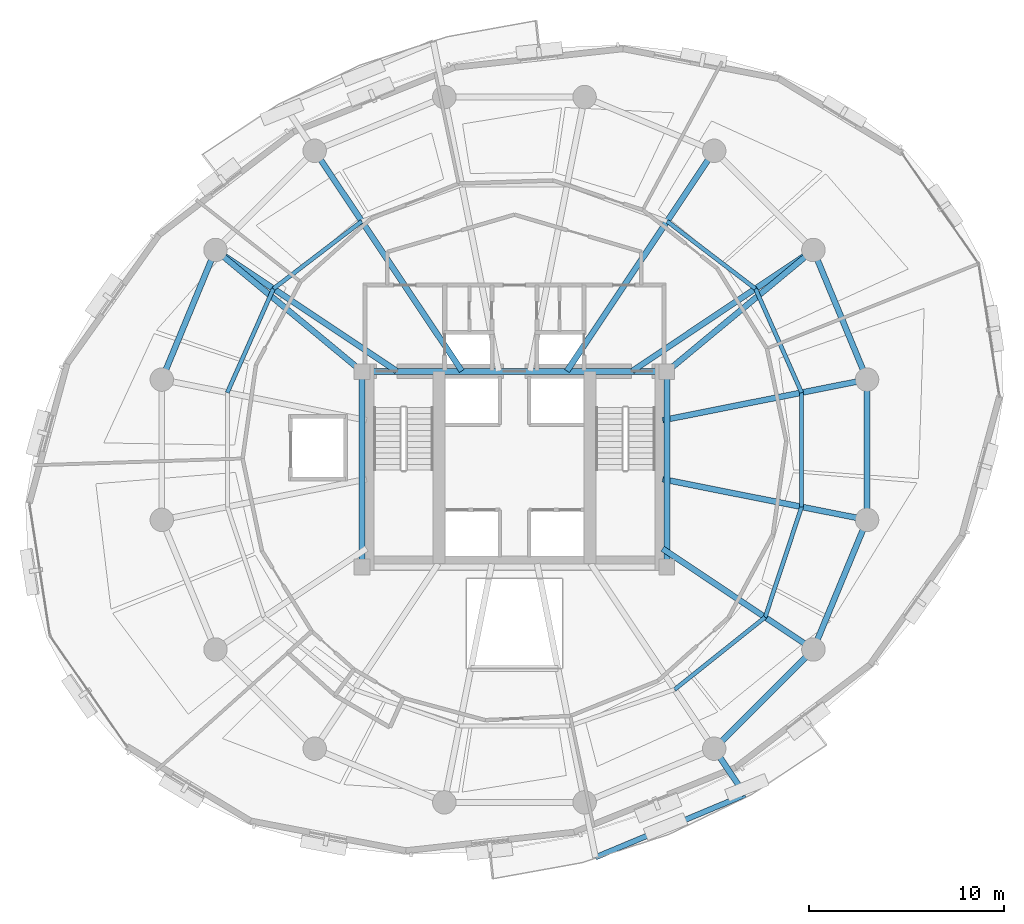
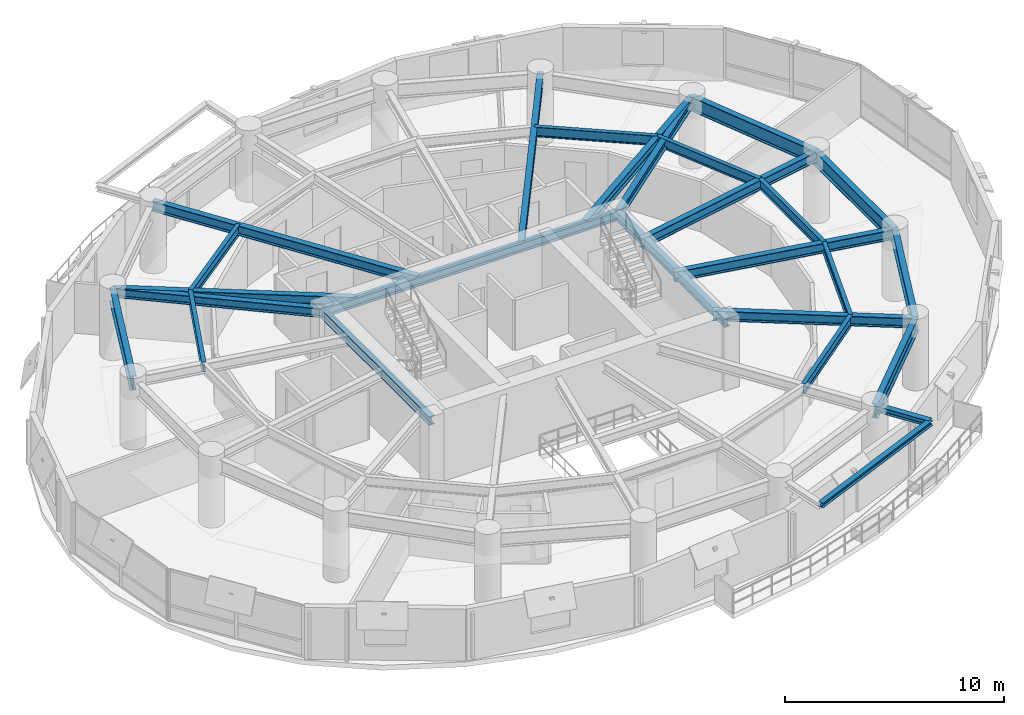
# One storey, part 5 of 14: 26 beams.
"""IFC4 building model written with IfcOpenShell, lengths in metres."""

import ifcopenshell
import ifcopenshell.guid

model = None  # the IFC model being written
_history = None  # IfcOwnerHistory: only IFC2X3 demands one
_inside = {}  # id of a spatial element -> (the spatial element, [elements in it])
_under = {}  # id of a project, library or spatial element -> (it, [spatial elements below it])
_declared = {}  # id of a project -> (the project, [libraries it declares])
_typed = {}  # id of a type object -> (the type object, [elements of that type])
_made_of = {}  # id of a material, layer set ... -> (it, [elements and type objects made of it])


def new_model(schema):
    """Start an empty IFC model of exactly this schema.

    Asked for "IFC4X3", IfcOpenShell would pick the latest addendum, in which some entities
    have other attributes; the version numbers below select the first issue.
    IFC2X3 requires an IfcOwnerHistory on every rooted entity: one is made here for all.
    """
    global model, _history
    if schema == "IFC4X3":
        model = ifcopenshell.file(schema_version=(4, 3, 0, 0))
    else:
        model = ifcopenshell.file(schema=schema)
    _inside.clear()
    _under.clear()
    _declared.clear()
    _typed.clear()
    _made_of.clear()
    _history = None
    if model.schema == "IFC2X3":
        org = make("IfcOrganization", Name="unknown")
        user = make(
            "IfcPersonAndOrganization",
            ThePerson=make("IfcPerson", FamilyName="unknown"),
            TheOrganization=org,
        )
        app = make(
            "IfcApplication",
            ApplicationDeveloper=org,
            Version="unknown",
            ApplicationFullName="unknown",
            ApplicationIdentifier="unknown",
        )
        _history = make(
            "IfcOwnerHistory",
            OwningUser=user,
            OwningApplication=app,
            ChangeAction="ADDED",
            CreationDate=0,
        )
    return model


def make(cls, **values):
    """One entity of the class cls with the attributes given. An attribute that is None is left unset."""
    return model.create_entity(
        cls, **{name: value for name, value in values.items() if value is not None}
    )


def rooted(cls, **values):
    """An entity with a GlobalId (a new one), such as an element, a storey or a relation."""
    return make(cls, GlobalId=ifcopenshell.guid.new(), OwnerHistory=_history, **values)


def si_unit(unit_type, name, prefix=None):
    """IfcSIUnit, for example si_unit("LENGTHUNIT", "METRE", prefix="MILLI")."""
    return make("IfcSIUnit", UnitType=unit_type, Prefix=prefix, Name=name)


def assignment(units):
    """IfcUnitAssignment: the units of a project."""
    return None if units is None else make("IfcUnitAssignment", Units=units)


def point(xyz):
    """IfcCartesianPoint."""
    return None if xyz is None else make("IfcCartesianPoint", Coordinates=xyz)


def direction(xyz):
    """IfcDirection."""
    return None if xyz is None else make("IfcDirection", DirectionRatios=xyz)


def frame(location, z_axis=None, x_axis=None):
    """IfcAxis2Placement3D, a coordinate frame: its origin and axes. An axis left out is left unset."""
    return make(
        "IfcAxis2Placement3D",
        Location=point(location),
        Axis=direction(z_axis),
        RefDirection=direction(x_axis),
    )


def frame_2d(location, x_axis=None):
    """IfcAxis2Placement2D, a coordinate frame in the plane: its origin and x axis."""
    return make(
        "IfcAxis2Placement2D", Location=point(location), RefDirection=direction(x_axis)
    )


def origin():
    """The frame at (0, 0, 0) with its axes left unset."""
    return frame((0.0, 0.0, 0.0))


def origin_2d():
    """The frame at (0, 0) in the plane with its x axis left unset."""
    return frame_2d((0.0, 0.0))


def place(relative_to, where):
    """IfcLocalPlacement: puts the frame where relative to a parent placement (None: the world)."""
    return make(
        "IfcLocalPlacement", PlacementRelTo=relative_to, RelativePlacement=where
    )


def context(
    kind, dimensions, precision=None, world=None, true_north=None, identifier=None
):
    """IfcGeometricRepresentationContext, for example the 3D "Model" context."""
    return make(
        "IfcGeometricRepresentationContext",
        ContextIdentifier=identifier,
        ContextType=kind,
        CoordinateSpaceDimension=dimensions,
        Precision=precision,
        WorldCoordinateSystem=world,
        TrueNorth=true_north,
    )


def subcontext(parent, identifier, kind, view, scale=None):
    """IfcGeometricRepresentationSubContext, for example "Body" below "Model"."""
    return make(
        "IfcGeometricRepresentationSubContext",
        ContextIdentifier=identifier,
        ContextType=kind,
        ParentContext=parent,
        TargetScale=scale,
        TargetView=view,
    )


def project(units=None, contexts=None):
    """IfcProject with its units and contexts."""
    return rooted(
        "IfcProject",
        Name="project",
        RepresentationContexts=contexts,
        UnitsInContext=assignment(units),
    )


def spatial(cls, under=None, at=None, **own):
    """A site, building, storey or space (cls), placed at a placement, below another one or the project."""
    s = rooted(cls, ObjectPlacement=at, **own)
    if under is not None:
        _under.setdefault(under.id(), (under, []))[1].append(s)
    return s


def profile(cls, at=None, kind="AREA", **sizes):
    """A parametric profile (cls). Its sizes go by their IFC names, for example OverallWidth=200.0."""
    return make(cls, ProfileType=kind, Position=at, **sizes)


def i_section(**sizes):
    """IfcIShapeProfileDef."""
    return profile("IfcIShapeProfileDef", **sizes)


def extrude(swept, where, along, depth):
    """IfcExtrudedAreaSolid: the profile swept, set in the frame where, extruded along a direction by depth."""
    return make(
        "IfcExtrudedAreaSolid",
        SweptArea=swept,
        Position=where,
        ExtrudedDirection=direction(along),
        Depth=depth,
    )


def shape(context_of_items, identifier, shape_type, items):
    """IfcShapeRepresentation: the items that make up one representation, for example the "Body"."""
    return make(
        "IfcShapeRepresentation",
        ContextOfItems=context_of_items,
        RepresentationIdentifier=identifier,
        RepresentationType=shape_type,
        Items=items,
    )


def material(Name=None, Category=None):
    """IfcMaterial."""
    return make("IfcMaterial", Name=Name, Category=Category)


def material_profile(
    of_material, cross_section, Name=None, Category=None, Priority=None
):
    """IfcMaterialProfile: a cross section and its material."""
    return make(
        "IfcMaterialProfile",
        Name=Name,
        Material=of_material,
        Profile=cross_section,
        Priority=Priority,
        Category=Category,
    )


def profile_set(profiles, Name=None, composite=None):
    """IfcMaterialProfileSet."""
    return make(
        "IfcMaterialProfileSet",
        Name=Name,
        MaterialProfiles=profiles,
        CompositeProfile=composite,
    )


def made_of(thing, what):
    """Note that an element or type object is made of a material, layer set ...; save() writes the relation."""
    if what is not None:
        _made_of.setdefault(what.id(), (what, []))[1].append(thing)
    return thing


def type_object(cls, material=None, **own):
    """A type object (cls), such as IfcWallType, which elements share."""
    return made_of(rooted(cls, **own), material)


def element(
    cls,
    number,
    at=None,
    inside=None,
    cuts=None,
    type_object=None,
    material=None,
    context=None,
    identifier="Body",
    shape_type=None,
    held_by="IfcProductDefinitionShape",
    body=None,
    shapes=None,
    **own,
):
    """One element of the class cls, such as IfcWall. Its Tag is "e" and its number.

    at: its placement. inside: the storey or other place that contains it. cuts: it is an
    opening in that element (IfcRelVoidsElement). A single representation is given by context,
    identifier, shape_type and body (its items); several are given by shapes. held_by: the class
    of the entity that holds the representations. save() writes the other relations.
    """
    e = rooted(cls, Tag="e%d" % number, ObjectPlacement=at, **own)
    if body is not None:
        shapes = [shape(context, identifier, shape_type, body)]
    if shapes is not None:
        e.Representation = make(held_by, Representations=shapes)
    if inside is not None:
        _inside.setdefault(inside.id(), (inside, []))[1].append(e)
    if cuts is not None:
        rooted(
            "IfcRelVoidsElement", RelatingBuildingElement=cuts, RelatedOpeningElement=e
        )
    if type_object is not None:
        _typed.setdefault(type_object.id(), (type_object, []))[1].append(e)
    return made_of(e, material)


def aggregate(whole, parts):
    """IfcRelAggregates: a whole, such as a stair, and the parts it consists of."""
    return rooted("IfcRelAggregates", RelatingObject=whole, RelatedObjects=parts)


def save(model, path):
    """Write the relations noted so far, then the file.

    IfcRelAggregates (storeys below a building ...), IfcRelContainedInSpatialStructure (elements
    in a storey), IfcRelDefinesByType, IfcRelAssociatesMaterial and IfcRelDeclares: one each for
    every whole, place, type object, material and project.
    """
    for whole, parts in _under.values():
        aggregate(whole, parts)
    for where, things in _inside.values():
        rooted(
            "IfcRelContainedInSpatialStructure",
            RelatedElements=things,
            RelatingStructure=where,
        )
    for kind, things in _typed.values():
        rooted("IfcRelDefinesByType", RelatedObjects=things, RelatingType=kind)
    for what, things in _made_of.values():
        rooted("IfcRelAssociatesMaterial", RelatedObjects=things, RelatingMaterial=what)
    for by, libraries in _declared.values():
        rooted("IfcRelDeclares", RelatingContext=by, RelatedDefinitions=libraries)
    model.write(path)


model = new_model("IFC4")

# Units and contexts
model_context = context("Model", 3, precision=1e-05, world=origin(), true_north=direction((0.0, 1.0)))
body_context = subcontext(model_context, "Body", "Model", "MODEL_VIEW")
ifc_project = project(units=[si_unit("LENGTHUNIT", "METRE"), si_unit("AREAUNIT", "SQUARE_METRE"), si_unit("VOLUMEUNIT", "CUBIC_METRE"), si_unit("PLANEANGLEUNIT", "RADIAN"), si_unit("MASSUNIT", "GRAM", prefix="KILO"), si_unit("THERMODYNAMICTEMPERATUREUNIT", "KELVIN"), si_unit("POWERUNIT", "WATT")], contexts=[model_context])

# Site, building, storey
site_placement = place(None, origin())
site = spatial("IfcSite", under=ifc_project, at=site_placement, CompositionType="ELEMENT")
building_placement = place(site_placement, origin())
building = spatial("IfcBuilding", under=site, at=building_placement, Name="Ocrelia Relay Tower", CompositionType="ELEMENT")
storey_placement = place(building_placement, frame((0.0, 0.0, 125.800048828125)))
storey = spatial("IfcBuildingStorey", under=building, at=storey_placement, Name="L29", CompositionType="ELEMENT", Elevation=125.800048828125)

# Beams
ifc_material = material(Name="Steel S355", Category="steel")
ifc_material_profile_1 = material_profile(ifc_material, i_section(OverallWidth=0.280029296875, OverallDepth=0.27001953125, WebThickness=0.008056640625, FlangeThickness=0.012939453125, FilletRadius=0.02392578125, at=origin_2d()), Name="HEA 280")
ifc_profile_set_1 = profile_set([ifc_material_profile_1], Name="Steel S355")
beam_type_1 = type_object("IfcBeamType", Name="BM-HEA280", PredefinedType="BEAM", material=ifc_profile_set_1)
beam_1_placement = place(storey_placement, frame((38.1494140625, 5.14013671875, 3.5849609375), z_axis=(0.922554345188, 0.385867179448, 0.0), x_axis=(-0.385867179448, 0.922554345188, 0.0)))
element("IfcBeam", 1, at=beam_1_placement, inside=storey, type_object=beam_type_1, Name="L30 Balcony Edge Trimmer Beam B2", PredefinedType="BEAM", context=body_context, shape_type="SweptSolid", body=[
    extrude(i_section(OverallWidth=0.280029296875, OverallDepth=0.27001953125, WebThickness=0.008056640625, FlangeThickness=0.012939453125, FilletRadius=0.02392578125, at=origin_2d()), origin(), (0.0, 0.0, 1.0), 8.29296875),
])
ifc_material_profile_2 = material_profile(ifc_material, i_section(OverallWidth=0.300048828125, OverallDepth=0.330078125, WebThickness=0.009521484375, FlangeThickness=0.0166015625, FilletRadius=0.027099609375, at=origin_2d()), Name="HEA 340")
ifc_profile_set_2 = profile_set([ifc_material_profile_2], Name="Steel S355")
beam_type_2 = type_object("IfcBeamType", Name="BM-HEA340", PredefinedType="BEAM", material=ifc_profile_set_2)
beam_2_placement = place(storey_placement, frame((44.222412109375, 10.700927734375, 3.554931640625), z_axis=(0.555612589399, -0.831441309114, 0.0), x_axis=(0.831441309114, 0.555612589399, 0.0)))
element("IfcBeam", 2, at=beam_2_placement, inside=storey, type_object=beam_type_2, Name="L30 Balcony Cantilever Beam B2-2", PredefinedType="BEAM", context=body_context, shape_type="SweptSolid", body=[
    extrude(i_section(OverallWidth=0.300048828125, OverallDepth=0.330078125, WebThickness=0.009521484375, FlangeThickness=0.0166015625, FilletRadius=0.027099609375, at=origin_2d()), origin(), (0.0, 0.0, 1.0), 2.83935546875),
])
ifc_material_profile_3 = material_profile(ifc_material, i_section(OverallWidth=0.300048828125, OverallDepth=0.5, WebThickness=0.014404296875, FlangeThickness=0.028076171875, FilletRadius=0.027099609375, at=origin_2d()), Name="HEB 500")
ifc_profile_set_3 = profile_set([ifc_material_profile_3], Name="Steel S355")
beam_type_3 = type_object("IfcBeamType", Name="BM-HEB500", PredefinedType="BEAM", material=ifc_profile_set_3)
beam_3_placement = place(storey_placement, frame((26.199951171875, 30.0, 3.469970703125), z_axis=(1.0, 0.0, 0.0), x_axis=(0.0, 1.0, 0.0)))
element("IfcBeam", 3, at=beam_3_placement, inside=storey, type_object=beam_type_3, Name="L29 Core Pilaster Tie Beam N", PredefinedType="BEAM", context=body_context, shape_type="SweptSolid", body=[
    extrude(i_section(OverallWidth=0.300048828125, OverallDepth=0.5, WebThickness=0.014404296875, FlangeThickness=0.028076171875, FilletRadius=0.027099609375, at=origin_2d()), origin(), (0.0, 0.0, 1.0), 15.60009765625),
])
for number, where, z_axis, x_axis, name in (
    (4, (26.199951171875, 20.0, 3.469970703125), (0.0, 1.0, 0.0), (-1.0, 0.0, 0.0), "L29 Core Pilaster Tie Beam W"),
    (5, (41.800048828125, 20.0, 3.469970703125), (0.0, 1.0, 0.0), (-1.0, 0.0, 0.0), "L29 Core Pilaster Tie Beam E"),
):
    element("IfcBeam", number, at=place(storey_placement, frame(where, z_axis=z_axis, x_axis=x_axis)), inside=storey, type_object=beam_type_3, Name=name, PredefinedType="BEAM", context=body_context, shape_type="SweptSolid", body=[
        extrude(i_section(OverallWidth=0.300048828125, OverallDepth=0.5, WebThickness=0.014404296875, FlangeThickness=0.028076171875, FilletRadius=0.027099609375, at=origin_2d()), origin(), (0.0, 0.0, 1.0), 10.0),
    ])
for number, where, z_axis, x_axis, name in (
    (6, (49.299072265625, 36.222412109375, 3.469970703125), (-0.769570862751, -0.638561420072, 0.0), (0.638561420072, -0.769570862751, 0.0), "L29 Core Pilaster Frame Tie Beam PT02"),
    (7, (18.700927734375, 36.222412109375, 3.469970703125), (0.769570862751, -0.638561420072, 0.0), (0.638561420072, 0.769570862751, 0.0), "L29 Core Pilaster Frame Tie Beam PT07"),
):
    element("IfcBeam", number, at=place(storey_placement, frame(where, z_axis=z_axis, x_axis=x_axis)), inside=storey, type_object=beam_type_3, Name=name, PredefinedType="BEAM", context=body_context, shape_type="SweptSolid", body=[
        extrude(i_section(OverallWidth=0.300048828125, OverallDepth=0.5, WebThickness=0.014404296875, FlangeThickness=0.028076171875, FilletRadius=0.027099609375, at=origin_2d()), origin(), (0.0, 0.0, 1.0), 9.744384765625),
    ])
ifc_material_profile_4 = material_profile(ifc_material, i_section(OverallWidth=0.300048828125, OverallDepth=0.550048828125, WebThickness=0.014892578125, FlangeThickness=0.029052734375, FilletRadius=0.027099609375, at=origin_2d()), Name="HEB 550")
ifc_profile_set_4 = profile_set([ifc_material_profile_4], Name="Steel S355")
beam_type_4 = type_object("IfcBeamType", Name="BM-HEB550", PredefinedType="BEAM", material=ifc_profile_set_4)
beam_4_placement = place(storey_placement, frame((52.04638671875, 29.589599609375, 3.445068359375), z_axis=(-0.980786914024, -0.195082109071, 0.0), x_axis=(0.195082109071, -0.980786914024, 0.0)))
element("IfcBeam", 8, at=beam_4_placement, inside=storey, type_object=beam_type_4, Name="L29 Radial Floor Girder R01", PredefinedType="BEAM", context=body_context, shape_type="SweptSolid", body=[
    extrude(i_section(OverallWidth=0.300048828125, OverallDepth=0.550048828125, WebThickness=0.014892578125, FlangeThickness=0.029052734375, FilletRadius=0.027099609375, at=origin_2d()), origin(), (0.0, 0.0, 1.0), 10.67138671875),
])
beam_5_placement = place(storey_placement, frame((49.299072265625, 36.222412109375, 3.445068359375), z_axis=(-0.83147699108, -0.555559189741, 0.0), x_axis=(0.555559189741, -0.83147699108, 0.0)))
element("IfcBeam", 9, at=beam_5_placement, inside=storey, type_object=beam_type_4, Name="L29 Radial Floor Girder R02", PredefinedType="BEAM", context=body_context, shape_type="SweptSolid", body=[
    extrude(i_section(OverallWidth=0.300048828125, OverallDepth=0.550048828125, WebThickness=0.014892578125, FlangeThickness=0.029052734375, FilletRadius=0.027099609375, at=origin_2d()), origin(), (0.0, 0.0, 1.0), 11.146240234375),
])
for number, where, z_axis, x_axis, name in (
    (10, (44.222412109375, 41.299072265625, 3.445068359375), (-0.555560399988, -0.83147618244, 0.0), (0.83147618244, -0.555560399988, 0.0), "L29 Radial Floor Girder R03"),
    (11, (23.777587890625, 41.299072265625, 3.445068359375), (0.555560399988, -0.83147618244, 0.0), (0.83147618244, 0.555560399988, 0.0), "L29 Radial Floor Girder R06"),
):
    element("IfcBeam", number, at=place(storey_placement, frame(where, z_axis=z_axis, x_axis=x_axis)), inside=storey, type_object=beam_type_4, Name=name, PredefinedType="BEAM", context=body_context, shape_type="SweptSolid", body=[
        extrude(i_section(OverallWidth=0.300048828125, OverallDepth=0.550048828125, WebThickness=0.014892578125, FlangeThickness=0.029052734375, FilletRadius=0.027099609375, at=origin_2d()), origin(), (0.0, 0.0, 1.0), 13.552978515625),
    ])
beam_6_placement = place(storey_placement, frame((18.700927734375, 36.222412109375, 3.445068359375), z_axis=(0.83147699108, -0.555559189741, 0.0), x_axis=(0.555559189741, 0.83147699108, 0.0)))
element("IfcBeam", 12, at=beam_6_placement, inside=storey, type_object=beam_type_4, Name="L29 Radial Floor Girder R07", PredefinedType="BEAM", context=body_context, shape_type="SweptSolid", body=[
    extrude(i_section(OverallWidth=0.300048828125, OverallDepth=0.550048828125, WebThickness=0.014892578125, FlangeThickness=0.029052734375, FilletRadius=0.027099609375, at=origin_2d()), origin(), (0.0, 0.0, 1.0), 11.146240234375),
])
beam_7_placement = place(storey_placement, frame((49.299072265625, 15.777587890625, 3.445068359375), z_axis=(-0.8314672312, 0.555573796575, 0.0), x_axis=(-0.555573796575, -0.8314672312, 0.0)))
element("IfcBeam", 13, at=beam_7_placement, inside=storey, type_object=beam_type_4, Name="L29 Radial Floor Girder R15", PredefinedType="BEAM", context=body_context, shape_type="SweptSolid", body=[
    extrude(i_section(OverallWidth=0.300048828125, OverallDepth=0.550048828125, WebThickness=0.014892578125, FlangeThickness=0.029052734375, FilletRadius=0.027099609375, at=origin_2d()), origin(), (0.0, 0.0, 1.0), 9.28369140625),
])
beam_8_placement = place(storey_placement, frame((52.04638671875, 22.410400390625, 3.445068359375), z_axis=(-0.980786914024, 0.195082109071, 0.0), x_axis=(-0.195082109071, -0.980786914024, 0.0)))
element("IfcBeam", 14, at=beam_8_placement, inside=storey, type_object=beam_type_4, Name="L29 Radial Floor Girder R16", PredefinedType="BEAM", context=body_context, shape_type="SweptSolid", body=[
    extrude(i_section(OverallWidth=0.300048828125, OverallDepth=0.550048828125, WebThickness=0.014892578125, FlangeThickness=0.029052734375, FilletRadius=0.027099609375, at=origin_2d()), origin(), (0.0, 0.0, 1.0), 10.67138671875),
])
ifc_material_profile_5 = material_profile(ifc_material, i_section(OverallWidth=0.300048828125, OverallDepth=0.800048828125, WebThickness=0.017578125, FlangeThickness=0.032958984375, FilletRadius=0.030029296875, at=origin_2d()), Name="HEB 800")
ifc_profile_set_5 = profile_set([ifc_material_profile_5], Name="Steel S355")
beam_type_5 = type_object("IfcBeamType", Name="BM-HEB800", PredefinedType="BEAM", material=ifc_profile_set_5)
for number, where, z_axis, x_axis, name in (
    (15, (52.04638671875, 29.589599609375, 3.320068359375), (-0.382673155247, 0.923883789366, 0.0), (-0.923883789366, -0.382673155247, 0.0), "L29 Perimeter Spandrel Beam S01"),
    (16, (18.700927734375, 36.222412109375, 3.320068359375), (-0.382673155247, -0.923883789366, 0.0), (0.923883789366, -0.382673155247, 0.0), "L29 Perimeter Spandrel Beam S07"),
):
    element("IfcBeam", number, at=place(storey_placement, frame(where, z_axis=z_axis, x_axis=x_axis)), inside=storey, type_object=beam_type_5, Name=name, PredefinedType="BEAM", context=body_context, shape_type="SweptSolid", body=[
        extrude(i_section(OverallWidth=0.300048828125, OverallDepth=0.800048828125, WebThickness=0.017578125, FlangeThickness=0.032958984375, FilletRadius=0.030029296875, at=origin_2d()), origin(), (0.0, 0.0, 1.0), 7.17919921875),
    ])
beam_9_placement = place(storey_placement, frame((44.222412109375, 10.700927734375, 3.320068359375), z_axis=(0.707106781187, 0.707106781187, 0.0), x_axis=(-0.707106781187, 0.707106781187, 0.0)))
element("IfcBeam", 17, at=beam_9_placement, inside=storey, type_object=beam_type_5, Name="L29 Perimeter Spandrel Beam S14", PredefinedType="BEAM", context=body_context, shape_type="SweptSolid", body=[
    extrude(i_section(OverallWidth=0.300048828125, OverallDepth=0.800048828125, WebThickness=0.017578125, FlangeThickness=0.032958984375, FilletRadius=0.030029296875, at=origin_2d()), origin(), (0.0, 0.0, 1.0), 7.179443359375),
])
for number, where, z_axis, x_axis, name in (
    (18, (49.299072265625, 15.777587890625, 3.320068359375), (0.382673155247, 0.923883789366, 0.0), (-0.923883789366, 0.382673155247, 0.0), "L29 Perimeter Spandrel Beam S15"),
    (19, (52.04638671875, 22.410400390625, 3.320068359375), (0.0, 1.0, 0.0), (-1.0, 0.0, 0.0), "L29 Perimeter Spandrel Beam S16"),
):
    element("IfcBeam", number, at=place(storey_placement, frame(where, z_axis=z_axis, x_axis=x_axis)), inside=storey, type_object=beam_type_5, Name=name, PredefinedType="BEAM", context=body_context, shape_type="SweptSolid", body=[
        extrude(i_section(OverallWidth=0.300048828125, OverallDepth=0.800048828125, WebThickness=0.017578125, FlangeThickness=0.032958984375, FilletRadius=0.030029296875, at=origin_2d()), origin(), (0.0, 0.0, 1.0), 7.17919921875),
    ])
ifc_material_profile_6 = material_profile(ifc_material, i_section(OverallWidth=0.2099609375, OverallDepth=0.550048828125, WebThickness=0.010986328125, FlangeThickness=0.01708984375, FilletRadius=0.02392578125, at=origin_2d()), Name="IPE 550")
ifc_profile_set_6 = profile_set([ifc_material_profile_6], Name="Steel S355")
beam_type_6 = type_object("IfcBeamType", Name="BM-IPE550", PredefinedType="JOIST", material=ifc_profile_set_6)
beam_10_placement = place(storey_placement, frame((48.697265625, 28.923583984375, 3.445068359375), z_axis=(-0.406243565397, 0.913764830563, 0.0), x_axis=(-0.913764830563, -0.406243565397, 0.0)))
element("IfcBeam", 20, at=beam_10_placement, inside=storey, type_object=beam_type_6, Name="L29 Secondary Floor Joist J01", PredefinedType="JOIST", context=body_context, shape_type="SweptSolid", body=[
    extrude(i_section(OverallWidth=0.2099609375, OverallDepth=0.550048828125, WebThickness=0.010986328125, FlangeThickness=0.01708984375, FilletRadius=0.02392578125, at=origin_2d()), origin(), (0.0, 0.0, 1.0), 5.819091796875),
])
for number, where, z_axis, x_axis, name in (
    (21, (46.333251953125, 34.240966796875, 3.445068359375), (-0.794762167004, 0.60692099807, 0.0), (-0.60692099807, -0.794762167004, 0.0), "L29 Secondary Floor Joist J02"),
    (22, (26.18701171875, 37.69287109375, 3.445068359375), (-0.794762167004, -0.60692099807, 0.0), (0.60692099807, -0.794762167004, 0.0), "L29 Secondary Floor Joist J06"),
):
    element("IfcBeam", number, at=place(storey_placement, frame(where, z_axis=z_axis, x_axis=x_axis)), inside=storey, type_object=beam_type_6, Name=name, PredefinedType="JOIST", context=body_context, shape_type="SweptSolid", body=[
        extrude(i_section(OverallWidth=0.2099609375, OverallDepth=0.550048828125, WebThickness=0.010986328125, FlangeThickness=0.01708984375, FilletRadius=0.02392578125, at=origin_2d()), origin(), (0.0, 0.0, 1.0), 5.6875),
    ])
beam_11_placement = place(storey_placement, frame((21.666748046875, 34.240966796875, 3.445068359375), z_axis=(-0.405741333342, -0.913987948727, 0.0), x_axis=(0.913987948727, -0.405741333342, 0.0)))
element("IfcBeam", 23, at=beam_11_placement, inside=storey, type_object=beam_type_6, Name="L29 Secondary Floor Joist J07", PredefinedType="JOIST", context=body_context, shape_type="SweptSolid", body=[
    extrude(i_section(OverallWidth=0.2099609375, OverallDepth=0.550048828125, WebThickness=0.010986328125, FlangeThickness=0.01708984375, FilletRadius=0.02392578125, at=origin_2d()), origin(), (0.0, 0.0, 1.0), 5.818603515625),
])
beam_12_placement = place(storey_placement, frame((42.197998046875, 13.731201171875, 3.445068359375), z_axis=(0.781519577804, 0.623880717372, 0.0), x_axis=(-0.623880717372, 0.781519577804, 0.0)))
element("IfcBeam", 24, at=beam_12_placement, inside=storey, type_object=beam_type_6, Name="L29 Secondary Floor Joist J14", PredefinedType="JOIST", context=body_context, shape_type="SweptSolid", body=[
    extrude(i_section(OverallWidth=0.2099609375, OverallDepth=0.550048828125, WebThickness=0.010986328125, FlangeThickness=0.01708984375, FilletRadius=0.02392578125, at=origin_2d()), origin(), (0.0, 0.0, 1.0), 5.925537109375),
])
beam_13_placement = place(storey_placement, frame((46.828857421875, 17.427978515625, 3.445068359375), z_axis=(0.314047924314, 0.949407131443, 0.0), x_axis=(-0.949407131443, 0.314047924314, 0.0)))
element("IfcBeam", 25, at=beam_13_placement, inside=storey, type_object=beam_type_6, Name="L29 Secondary Floor Joist J15", PredefinedType="JOIST", context=body_context, shape_type="SweptSolid", body=[
    extrude(i_section(OverallWidth=0.2099609375, OverallDepth=0.550048828125, WebThickness=0.010986328125, FlangeThickness=0.01708984375, FilletRadius=0.02392578125, at=origin_2d()), origin(), (0.0, 0.0, 1.0), 5.949462890625),
])
beam_14_placement = place(storey_placement, frame((48.697265625, 23.076416015625, 3.445068359375), z_axis=(0.0, 1.0, 0.0), x_axis=(-1.0, 0.0, 0.0)))
element("IfcBeam", 26, at=beam_14_placement, inside=storey, type_object=beam_type_6, Name="L29 Secondary Floor Joist J16", PredefinedType="JOIST", context=body_context, shape_type="SweptSolid", body=[
    extrude(i_section(OverallWidth=0.2099609375, OverallDepth=0.550048828125, WebThickness=0.010986328125, FlangeThickness=0.01708984375, FilletRadius=0.02392578125, at=origin_2d()), origin(), (0.0, 0.0, 1.0), 5.84716796875),
])

save(model, "model.ifc")
